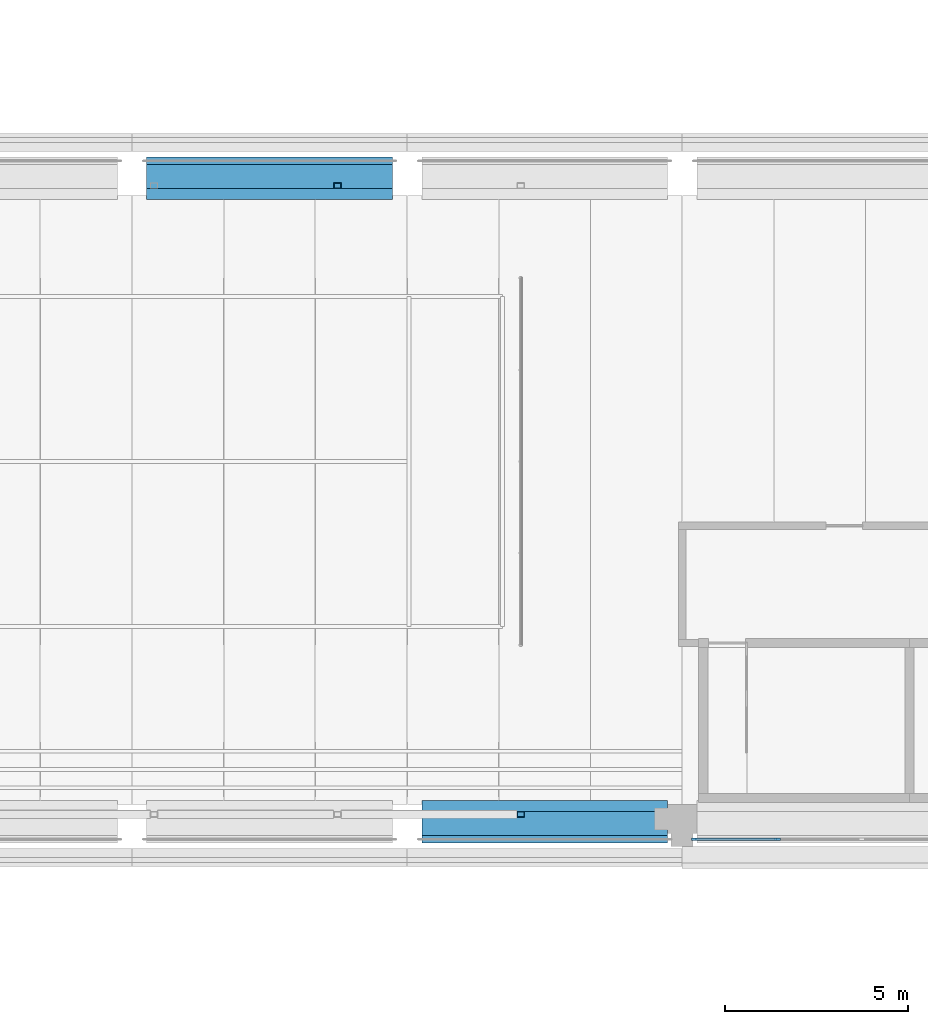
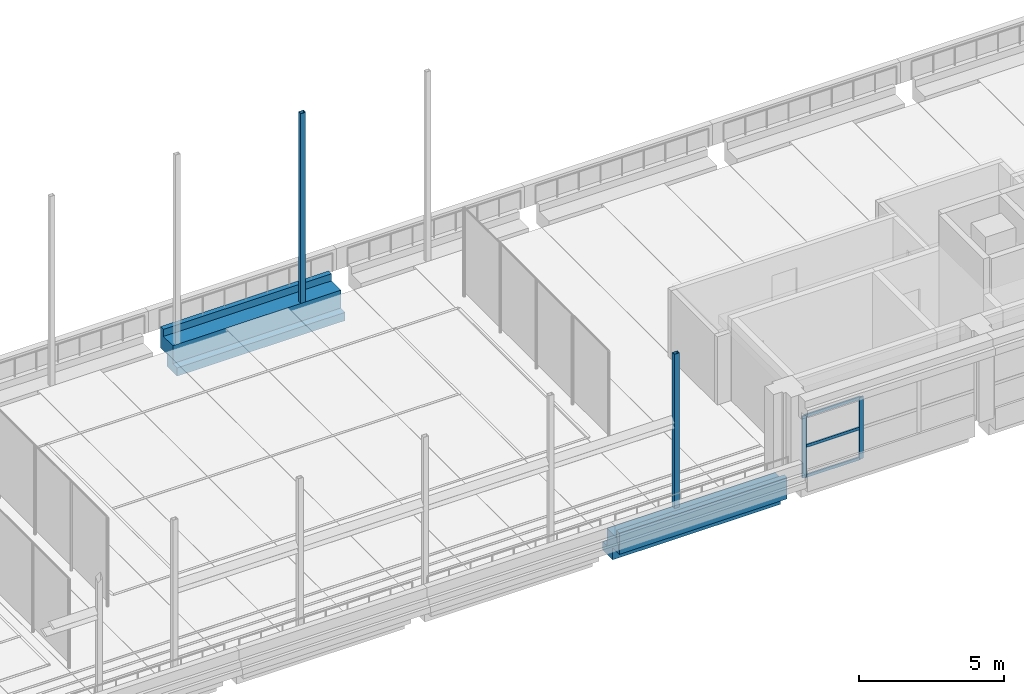
# One storey, part 10 of 62: 7 members, 2 beams, 1 element without a shape of its own.
"""IFC4 building model written with IfcOpenShell, lengths in metres."""

from ifc_helpers import new_model, si_unit, direction, frame, origin, origin_2d, place, context, subcontext, project, spatial, polyline, rectangle, hollow_rectangle, outline, extrude, material, layer, layer_set, material_profile, profile_set, type_object, element, aggregate, save


model = new_model("IFC4")

# Units and contexts
model_context = context("Model", 3, precision=1e-05, world=origin(), true_north=direction((0.0, 1.0)))
body_context = subcontext(model_context, "Body", "Model", "MODEL_VIEW")
ifc_project = project(units=[si_unit("LENGTHUNIT", "METRE"), si_unit("AREAUNIT", "SQUARE_METRE"), si_unit("VOLUMEUNIT", "CUBIC_METRE"), si_unit("PLANEANGLEUNIT", "RADIAN"), si_unit("MASSUNIT", "GRAM", prefix="KILO")], contexts=[model_context])

# Site, building, storey
site_placement = place(None, origin())
site = spatial("IfcSite", under=ifc_project, at=site_placement, CompositionType="ELEMENT")
building_placement = place(site_placement, origin())
building = spatial("IfcBuilding", under=site, at=building_placement, Name="Cour d'Honneur Mobility Palace", CompositionType="ELEMENT")
storey_placement = place(building_placement, frame((0.0, 0.0, 19.300048828125)))
storey = spatial("IfcBuildingStorey", under=building, at=storey_placement, Name="L05", CompositionType="ELEMENT", Elevation=19.300048828125)

# Curtain wall, members
ifc_material_1 = material(Name="Aluminium and glass", Category="aluminium")
ifc_layer = layer(ifc_material_1, 0.10009765625)
ifc_layer_set = layer_set([ifc_layer], Name="Aluminium and glass")
curtain_wall_type = type_object("IfcCurtainWallType", Name="Curtain wall run", PredefinedType="NOTDEFINED", material=ifc_layer_set)
curtain_wall_placement = place(storey_placement, origin())
curtain_wall = element("IfcCurtainWall", 1, at=curtain_wall_placement, inside=storey, type_object=curtain_wall_type, Name="Curtain wall CW-84", PredefinedType="NOTDEFINED")
ifc_material_2 = material(Name="Aluminium", Category="aluminium")
ifc_material_profile_1 = material_profile(ifc_material_2, rectangle(XDim=0.06005859375, YDim=0.159912109375, at=origin_2d()), Name="Curtain wall mullion")
ifc_profile_set_1 = profile_set([ifc_material_profile_1], Name="Aluminium")
member_type_1 = type_object("IfcMemberType", Name="Curtain wall mullion", PredefinedType="MULLION", material=ifc_profile_set_1)
member_1_placement = place(storey_placement, frame((70.22998046875, 44.449951171875, 0.0), z_axis=(0.0, 0.0, 1.0), x_axis=(0.0, 1.0, 0.0)))
member_1 = element("IfcMember", 2, at=member_1_placement, type_object=member_type_1, Name="CW-84 mullion 1", PredefinedType="MULLION", context=body_context, shape_type="SweptSolid", body=[
    extrude(rectangle(XDim=0.06005859375, YDim=0.159912109375, at=origin_2d()), origin(), (0.0, 0.0, 1.0), 2.599853515625),
])
member_2_placement = place(storey_placement, frame((72.5, 44.449951171875, 0.0), z_axis=(0.0, 0.0, 1.0), x_axis=(0.0, 1.0, 0.0)))
member_2 = element("IfcMember", 3, at=member_2_placement, type_object=member_type_1, Name="CW-84 mullion 2", PredefinedType="MULLION", context=body_context, shape_type="SweptSolid", body=[
    extrude(rectangle(XDim=0.06005859375, YDim=0.159912109375, at=origin_2d()), origin(), (0.0, 0.0, 1.0), 2.599853515625),
])
ifc_material_3 = material(Name="Aluminium", Category="aluminium")
ifc_material_profile_2 = material_profile(ifc_material_3, rectangle(XDim=0.06005859375, YDim=0.1201171875, at=origin_2d()), Name="Curtain wall transom")
ifc_profile_set_2 = profile_set([ifc_material_profile_2], Name="Aluminium")
member_type_2 = type_object("IfcMemberType", Name="Curtain wall transom", PredefinedType="USERDEFINED", material=ifc_profile_set_2)
member_3_placement = place(storey_placement, frame((70.260009765625, 44.449951171875, 0.030029296875), z_axis=(1.0, 0.0, 0.0), x_axis=(0.0, 1.0, 0.0)))
member_3 = element("IfcMember", 4, at=member_3_placement, type_object=member_type_2, Name="CW-84 transom 1.1", ObjectType="TRANSOM", PredefinedType="USERDEFINED", context=body_context, shape_type="SweptSolid", body=[
    extrude(rectangle(XDim=0.06005859375, YDim=0.1201171875, at=origin_2d()), origin(), (0.0, 0.0, 1.0), 2.2099609375),
])
member_4_placement = place(storey_placement, frame((70.260009765625, 44.449951171875, 1.300048828125), z_axis=(1.0, 0.0, 0.0), x_axis=(0.0, 1.0, 0.0)))
member_4 = element("IfcMember", 5, at=member_4_placement, type_object=member_type_2, Name="CW-84 transom 1.2", ObjectType="TRANSOM", PredefinedType="USERDEFINED", context=body_context, shape_type="SweptSolid", body=[
    extrude(rectangle(XDim=0.06005859375, YDim=0.1201171875, at=origin_2d()), origin(), (0.0, 0.0, 1.0), 2.2099609375),
])
member_5_placement = place(storey_placement, frame((70.260009765625, 44.449951171875, 2.570068359375), z_axis=(1.0, 0.0, 0.0), x_axis=(0.0, 1.0, 0.0)))
member_5 = element("IfcMember", 6, at=member_5_placement, type_object=member_type_2, Name="CW-84 transom 1.3", ObjectType="TRANSOM", PredefinedType="USERDEFINED", context=body_context, shape_type="SweptSolid", body=[
    extrude(rectangle(XDim=0.06005859375, YDim=0.1201171875, at=origin_2d()), origin(), (0.0, 0.0, 1.0), 2.2099609375),
])
aggregate(curtain_wall, [member_1, member_2, member_3, member_4, member_5])

# Beams
ifc_material_4 = material(Name="Concrete C45", Category="concrete")
ifc_material_profile_3 = material_profile(ifc_material_4, outline(polyline([(0.5, -1.10009765625), (0.5, -0.75), (0.199951171875, -0.75), (0.199951171875, 0.0), (-0.199951171875, 0.0), (-0.449951171875, 0.0), (-0.449951171875, 0.300048828125), (-0.64990234375, 0.300048828125), (-0.64990234375, -0.60009765625), (-0.199951171875, -0.60009765625), (-0.199951171875, -1.10009765625), (0.5, -1.10009765625)])), Name="Ledger Beam 400x1100 ledge left 350 facade right")
ifc_profile_set_3 = profile_set([ifc_material_profile_3], Name="Concrete C45")
beam_type_1 = type_object("IfcBeamType", Name="Ledger Beam 400x1100 ledge left 350 facade right", PredefinedType="BEAM", material=ifc_profile_set_3)
beam_1_placement = place(storey_placement, frame((62.800048828125, 45.0, 0.0), z_axis=(1.0, 0.0, 0.0), x_axis=(0.0, 1.0, 0.0)))
element("IfcBeam", 7, at=beam_1_placement, inside=storey, type_object=beam_type_1, Name="Precast beam B2 8-9 L05", PredefinedType="BEAM", context=body_context, shape_type="SweptSolid", body=[
    extrude(outline(polyline([(0.5, -1.10009765625), (0.5, -0.75), (0.199951171875, -0.75), (0.199951171875, 0.0), (-0.199951171875, 0.0), (-0.449951171875, 0.0), (-0.449951171875, 0.300048828125), (-0.64990234375, 0.300048828125), (-0.64990234375, -0.60009765625), (-0.199951171875, -0.60009765625), (-0.199951171875, -1.10009765625), (0.5, -1.10009765625)])), origin(), (0.0, 0.0, 1.0), 6.699951171875),
])
ifc_material_5 = material(Name="Concrete C45", Category="concrete")
ifc_material_profile_4 = material_profile(ifc_material_5, outline(polyline([(0.199951171875, -1.10009765625), (0.199951171875, -0.60009765625), (0.64990234375, -0.60009765625), (0.64990234375, 0.300048828125), (0.449951171875, 0.300048828125), (0.449951171875, 0.0), (0.199951171875, 0.0), (-0.199951171875, 0.0), (-0.199951171875, -0.75), (-0.5, -0.75), (-0.5, -1.10009765625), (0.199951171875, -1.10009765625)])), Name="Ledger Beam 400x1100 ledge right 350 facade left")
ifc_profile_set_4 = profile_set([ifc_material_profile_4], Name="Concrete C45")
beam_type_2 = type_object("IfcBeamType", Name="Ledger Beam 400x1100 ledge right 350 facade left", PredefinedType="BEAM", material=ifc_profile_set_4)
beam_2_placement = place(storey_placement, frame((55.300048828125, 62.39990234375, 0.0), z_axis=(1.0, 0.0, 0.0), x_axis=(0.0, 1.0, 0.0)))
element("IfcBeam", 8, at=beam_2_placement, inside=storey, type_object=beam_type_2, Name="Precast beam B4 7-8 L05", PredefinedType="BEAM", context=body_context, shape_type="SweptSolid", body=[
    extrude(outline(polyline([(0.199951171875, -1.10009765625), (0.199951171875, -0.60009765625), (0.64990234375, -0.60009765625), (0.64990234375, 0.300048828125), (0.449951171875, 0.300048828125), (0.449951171875, 0.0), (0.199951171875, 0.0), (-0.199951171875, 0.0), (-0.199951171875, -0.75), (-0.5, -0.75), (-0.5, -1.10009765625), (0.199951171875, -1.10009765625)])), origin(), (0.0, 0.0, 1.0), 6.699951171875),
])

# Members
ifc_material_6 = material(Name="Steel S355", Category="steel")
ifc_material_profile_5 = material_profile(ifc_material_6, hollow_rectangle(XDim=0.14990234375, YDim=0.199951171875, WallThickness=0.008056640625, at=origin_2d()), Name="RHS 200x150x8")
ifc_profile_set_5 = profile_set([ifc_material_profile_5], Name="Steel S355")
member_type_3 = type_object("IfcMemberType", Name="Pergola post RHS 200x150x8", PredefinedType="POST", material=ifc_profile_set_5)
member_6_placement = place(storey_placement, frame((60.5, 62.27490234375, 0.0), z_axis=(0.0, 0.0, 1.0), x_axis=(0.0, 1.0, 0.0)))
element("IfcMember", 9, at=member_6_placement, inside=storey, type_object=member_type_3, Name="Pergola post PW-N4", PredefinedType="POST", context=body_context, shape_type="SweptSolid", body=[
    extrude(hollow_rectangle(XDim=0.14990234375, YDim=0.199951171875, WallThickness=0.008056640625, at=origin_2d()), origin(), (0.0, 0.0, 1.0), 8.0),
])
member_7_placement = place(storey_placement, frame((65.5, 45.125, 0.0), z_axis=(0.0, 0.0, 1.0), x_axis=(0.0, 1.0, 0.0)))
element("IfcMember", 10, at=member_7_placement, inside=storey, type_object=member_type_3, Name="Pergola post PW-S5", PredefinedType="POST", context=body_context, shape_type="SweptSolid", body=[
    extrude(hollow_rectangle(XDim=0.14990234375, YDim=0.199951171875, WallThickness=0.008056640625, at=origin_2d()), origin(), (0.0, 0.0, 1.0), 6.5),
])

save(model, "model.ifc")
